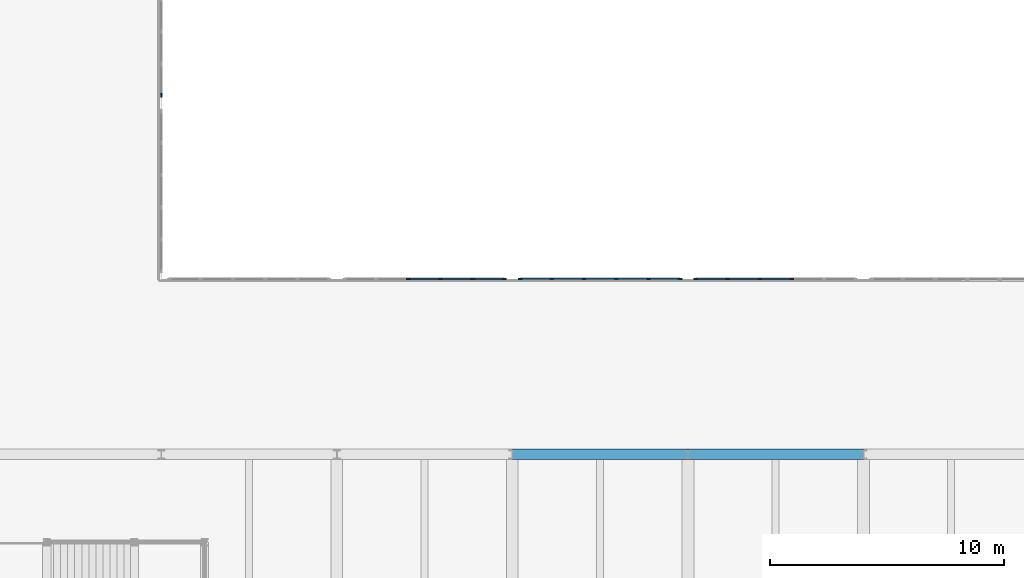
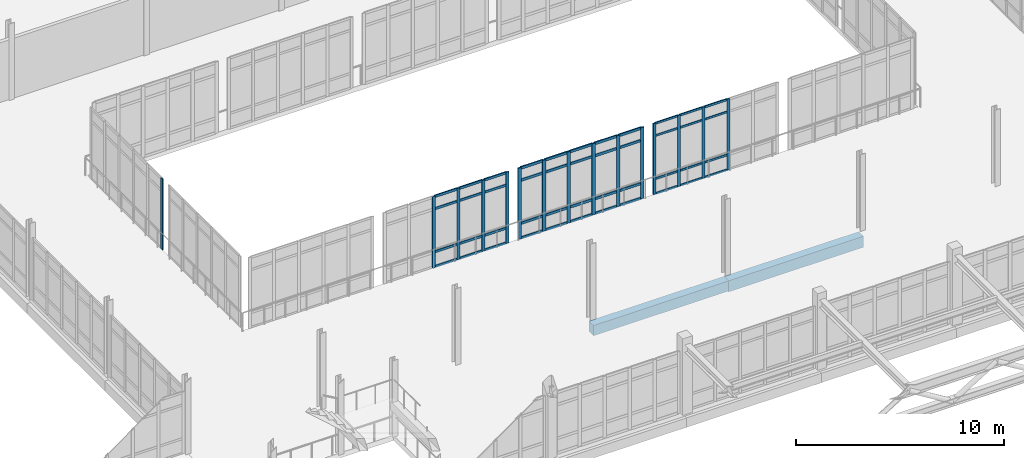
# One storey, part 34 of 128: 59 members, 2 beams, 4 elements without a shape of their own.
"""IFC4 building model written with IfcOpenShell, lengths in metres."""

from ifc_helpers import new_model, si_unit, direction, frame, origin, origin_2d, place, context, subcontext, project, spatial, rectangle, extrude, material, layer, layer_set, material_profile, profile_set, type_object, element, aggregate, save


model = new_model("IFC4")

# Units and contexts
model_context = context("Model", 3, precision=1e-05, world=origin(), true_north=direction((0.0, 1.0)))
body_context = subcontext(model_context, "Body", "Model", "MODEL_VIEW")
ifc_project = project(units=[si_unit("LENGTHUNIT", "METRE"), si_unit("AREAUNIT", "SQUARE_METRE"), si_unit("VOLUMEUNIT", "CUBIC_METRE"), si_unit("PLANEANGLEUNIT", "RADIAN"), si_unit("MASSUNIT", "GRAM", prefix="KILO")], contexts=[model_context])

# Site, building, storey
site_placement = place(None, origin())
site = spatial("IfcSite", under=ifc_project, at=site_placement, CompositionType="ELEMENT")
building_placement = place(site_placement, origin())
building = spatial("IfcBuilding", under=site, at=building_placement, Name="Dalvernix Boulevard General Hospital", CompositionType="ELEMENT")
storey_placement = place(building_placement, frame((0.0, 0.0, 4.800048828125)))
storey = spatial("IfcBuildingStorey", under=building, at=storey_placement, Name="L01", CompositionType="ELEMENT", Elevation=4.800048828125)

# Beams
ifc_material_1 = material(Name="Concrete C35/45", Category="concrete")
ifc_material_profile_1 = material_profile(ifc_material_1, rectangle(XDim=0.449951171875, YDim=0.64990234375, at=origin_2d()), Name="RCB 450x650")
ifc_profile_set_1 = profile_set([ifc_material_profile_1], Name="Concrete C35/45")
beam_type_1 = type_object("IfcBeamType", Name="BM-B-03-I", PredefinedType="BEAM", material=ifc_profile_set_1)
beam_1_placement = place(storey_placement, frame((90.0, 31.5, -0.625), z_axis=(1.0, 0.0, 0.0), x_axis=(0.0, 1.0, 0.0)))
element("IfcBeam", 1, at=beam_1_placement, inside=storey, type_object=beam_type_1, Name="L01 E-W girder E:13-14", PredefinedType="BEAM", context=body_context, shape_type="SweptSolid", body=[
    extrude(rectangle(XDim=0.449951171875, YDim=0.64990234375, at=origin_2d()), origin(), (0.0, 0.0, 1.0), 7.5),
])
ifc_material_profile_2 = material_profile(ifc_material_1, rectangle(XDim=0.449951171875, YDim=0.60009765625, at=origin_2d()), Name="RCB 450x600")
ifc_profile_set_2 = profile_set([ifc_material_profile_2], Name="Concrete C35/45")
beam_type_2 = type_object("IfcBeamType", Name="BM-B-04-I", PredefinedType="BEAM", material=ifc_profile_set_2)
beam_2_placement = place(storey_placement, frame((82.5, 31.5, -0.60009765625), z_axis=(1.0, 0.0, 0.0), x_axis=(0.0, 1.0, 0.0)))
element("IfcBeam", 2, at=beam_2_placement, inside=storey, type_object=beam_type_2, Name="L01 E-W girder E:12-13", PredefinedType="BEAM", context=body_context, shape_type="SweptSolid", body=[
    extrude(rectangle(XDim=0.449951171875, YDim=0.60009765625, at=origin_2d()), origin(), (0.0, 0.0, 1.0), 7.5),
])

# Curtain wall, members
ifc_material_2 = material(Name="Thermally broken aluminium and solar-control glass curtain wall", Category="aluminium")
ifc_layer_1 = layer(ifc_material_2, 0.159912109375)
ifc_layer_set_1 = layer_set([ifc_layer_1], Name="Thermally broken aluminium and solar-control glass curtain wall (CW-CW-A-69x42)")
curtain_wall_type_1 = type_object("IfcCurtainWallType", Name="CW-CW-A-69x42", PredefinedType="USERDEFINED", material=ifc_layer_set_1)
curtain_wall_1_placement = place(storey_placement, origin())
curtain_wall_1 = element("IfcCurtainWall", 3, at=curtain_wall_1_placement, inside=storey, type_object=curtain_wall_type_1, Name="L01 curtain wall CW-A-69x42 12-5", ObjectType="GLAZED FACADE", PredefinedType="USERDEFINED")
ifc_material_3 = material(Name="Aluminium EN AW-6060", Category="aluminium")
ifc_material_profile_3 = material_profile(ifc_material_3, rectangle(XDim=0.06005859375, YDim=0.159912109375, at=origin_2d()), Name="ALU MULL 60x160")
ifc_profile_set_3 = profile_set([ifc_material_profile_3], Name="Aluminium EN AW-6060")
member_type_1 = type_object("IfcMemberType", Name="MEM-CW-M1", PredefinedType="MULLION", material=ifc_profile_set_3)
member_1_placement = place(storey_placement, frame((90.340087890625, 39.0, 0.0), z_axis=(0.0, 0.0, 1.0), x_axis=(0.0, 1.0, 0.0)))
member_1 = element("IfcMember", 4, at=member_1_placement, type_object=member_type_1, Name="CW-A-69x42 mullion 1", PredefinedType="MULLION", context=body_context, shape_type="SweptSolid", body=[
    extrude(rectangle(XDim=0.06005859375, YDim=0.159912109375, at=origin_2d()), origin(), (0.0, 0.0, 1.0), 4.179931640625),
])
member_2_placement = place(storey_placement, frame((91.68603515625, 39.0, 0.0), z_axis=(0.0, 0.0, 1.0), x_axis=(0.0, 1.0, 0.0)))
member_2 = element("IfcMember", 5, at=member_2_placement, type_object=member_type_1, Name="CW-A-69x42 mullion 2", PredefinedType="MULLION", context=body_context, shape_type="SweptSolid", body=[
    extrude(rectangle(XDim=0.06005859375, YDim=0.159912109375, at=origin_2d()), origin(), (0.0, 0.0, 1.0), 4.179931640625),
])
member_3_placement = place(storey_placement, frame((93.06201171875, 39.0, 0.0), z_axis=(0.0, 0.0, 1.0), x_axis=(0.0, 1.0, 0.0)))
member_3 = element("IfcMember", 6, at=member_3_placement, type_object=member_type_1, Name="CW-A-69x42 mullion 3", PredefinedType="MULLION", context=body_context, shape_type="SweptSolid", body=[
    extrude(rectangle(XDim=0.06005859375, YDim=0.159912109375, at=origin_2d()), origin(), (0.0, 0.0, 1.0), 4.179931640625),
])
member_4_placement = place(storey_placement, frame((94.43798828125, 39.0, 0.0), z_axis=(0.0, 0.0, 1.0), x_axis=(0.0, 1.0, 0.0)))
member_4 = element("IfcMember", 7, at=member_4_placement, type_object=member_type_1, Name="CW-A-69x42 mullion 4", PredefinedType="MULLION", context=body_context, shape_type="SweptSolid", body=[
    extrude(rectangle(XDim=0.06005859375, YDim=0.159912109375, at=origin_2d()), origin(), (0.0, 0.0, 1.0), 4.179931640625),
])

# Curtain wall, member
ifc_layer_2 = layer(ifc_material_2, 0.179931640625)
ifc_layer_set_2 = layer_set([ifc_layer_2], Name="Thermally broken aluminium and solar-control glass curtain wall (CW-CW-B-69x42)")
curtain_wall_type_2 = type_object("IfcCurtainWallType", Name="CW-CW-B-69x42", PredefinedType="USERDEFINED", material=ifc_layer_set_2)
curtain_wall_2_placement = place(storey_placement, origin())
curtain_wall_2 = element("IfcCurtainWall", 8, at=curtain_wall_2_placement, inside=storey, type_object=curtain_wall_type_2, Name="L01 curtain wall CW-B-69x42 9-6", ObjectType="GLAZED FACADE", PredefinedType="USERDEFINED")
ifc_material_profile_4 = material_profile(ifc_material_3, rectangle(XDim=0.06494140625, YDim=0.179931640625, at=origin_2d()), Name="ALU MULL 65x180")
ifc_profile_set_4 = profile_set([ifc_material_profile_4], Name="Aluminium EN AW-6060")
member_type_2 = type_object("IfcMemberType", Name="MEM-CW-M2", PredefinedType="MULLION", material=ifc_profile_set_4)
member_5_placement = place(storey_placement, frame((67.5, 46.842529296875, 0.0), z_axis=(0.0, 0.0, 1.0), x_axis=(1.0, 0.0, 0.0)))
member_5 = element("IfcMember", 9, at=member_5_placement, type_object=member_type_2, Name="CW-B-69x42 mullion 6", PredefinedType="MULLION", context=body_context, shape_type="SweptSolid", body=[
    extrude(rectangle(XDim=0.06494140625, YDim=0.179931640625, at=origin_2d()), origin(), (0.0, 0.0, 1.0), 4.179931640625),
])
aggregate(curtain_wall_2, [member_5])

# Curtain wall, members
curtain_wall_3_placement = place(storey_placement, origin())
curtain_wall_3 = element("IfcCurtainWall", 10, at=curtain_wall_3_placement, inside=storey, type_object=curtain_wall_type_2, Name="L01 curtain wall CW-B-69x42 10-5", ObjectType="GLAZED FACADE", PredefinedType="USERDEFINED")
member_6_placement = place(storey_placement, frame((78.06201171875, 39.0, 0.0), z_axis=(0.0, 0.0, 1.0), x_axis=(0.0, 1.0, 0.0)))
member_6 = element("IfcMember", 11, at=member_6_placement, type_object=member_type_2, Name="CW-B-69x42 mullion 3", PredefinedType="MULLION", context=body_context, shape_type="SweptSolid", body=[
    extrude(rectangle(XDim=0.06494140625, YDim=0.179931640625, at=origin_2d()), origin(), (0.0, 0.0, 1.0), 4.179931640625),
])
member_7_placement = place(storey_placement, frame((79.43798828125, 39.0, 0.0), z_axis=(0.0, 0.0, 1.0), x_axis=(0.0, 1.0, 0.0)))
member_7 = element("IfcMember", 12, at=member_7_placement, type_object=member_type_2, Name="CW-B-69x42 mullion 4", PredefinedType="MULLION", context=body_context, shape_type="SweptSolid", body=[
    extrude(rectangle(XDim=0.06494140625, YDim=0.179931640625, at=origin_2d()), origin(), (0.0, 0.0, 1.0), 4.179931640625),
])
member_8_placement = place(storey_placement, frame((80.81396484375, 39.0, 0.0), z_axis=(0.0, 0.0, 1.0), x_axis=(0.0, 1.0, 0.0)))
member_8 = element("IfcMember", 13, at=member_8_placement, type_object=member_type_2, Name="CW-B-69x42 mullion 5", PredefinedType="MULLION", context=body_context, shape_type="SweptSolid", body=[
    extrude(rectangle(XDim=0.06494140625, YDim=0.179931640625, at=origin_2d()), origin(), (0.0, 0.0, 1.0), 4.179931640625),
])
member_9_placement = place(storey_placement, frame((82.157470703125, 39.0, 0.0), z_axis=(0.0, 0.0, 1.0), x_axis=(0.0, 1.0, 0.0)))
member_9 = element("IfcMember", 14, at=member_9_placement, type_object=member_type_2, Name="CW-B-69x42 mullion 6", PredefinedType="MULLION", context=body_context, shape_type="SweptSolid", body=[
    extrude(rectangle(XDim=0.06494140625, YDim=0.179931640625, at=origin_2d()), origin(), (0.0, 0.0, 1.0), 4.179931640625),
])

ifc_layer_3 = layer(ifc_material_2, 0.199951171875)
ifc_layer_set_3 = layer_set([ifc_layer_3], Name="Thermally broken aluminium and solar-control glass curtain wall (CW-CW-C-69x42)")
curtain_wall_type_3 = type_object("IfcCurtainWallType", Name="CW-CW-C-69x42", PredefinedType="USERDEFINED", material=ifc_layer_set_3)
curtain_wall_4_placement = place(storey_placement, origin())
curtain_wall_4 = element("IfcCurtainWall", 15, at=curtain_wall_4_placement, inside=storey, type_object=curtain_wall_type_3, Name="L01 curtain wall CW-C-69x42 11-5", ObjectType="GLAZED FACADE", PredefinedType="USERDEFINED")
ifc_material_profile_5 = material_profile(ifc_material_3, rectangle(XDim=0.070068359375, YDim=0.199951171875, at=origin_2d()), Name="ALU MULL 70x200")
ifc_profile_set_5 = profile_set([ifc_material_profile_5], Name="Aluminium EN AW-6060")
member_type_3 = type_object("IfcMemberType", Name="MEM-CW-M3", PredefinedType="MULLION", material=ifc_profile_set_5)
member_10_placement = place(storey_placement, frame((82.844970703125, 39.0, 0.0), z_axis=(0.0, 0.0, 1.0), x_axis=(0.0, 1.0, 0.0)))
member_10 = element("IfcMember", 16, at=member_10_placement, type_object=member_type_3, Name="CW-C-69x42 mullion 1", PredefinedType="MULLION", context=body_context, shape_type="SweptSolid", body=[
    extrude(rectangle(XDim=0.070068359375, YDim=0.199951171875, at=origin_2d()), origin(), (0.0, 0.0, 1.0), 4.179931640625),
])
member_11_placement = place(storey_placement, frame((84.18603515625, 39.0, 0.0), z_axis=(0.0, 0.0, 1.0), x_axis=(0.0, 1.0, 0.0)))
member_11 = element("IfcMember", 17, at=member_11_placement, type_object=member_type_3, Name="CW-C-69x42 mullion 2", PredefinedType="MULLION", context=body_context, shape_type="SweptSolid", body=[
    extrude(rectangle(XDim=0.070068359375, YDim=0.199951171875, at=origin_2d()), origin(), (0.0, 0.0, 1.0), 4.179931640625),
])
member_12_placement = place(storey_placement, frame((85.56201171875, 39.0, 0.0), z_axis=(0.0, 0.0, 1.0), x_axis=(0.0, 1.0, 0.0)))
member_12 = element("IfcMember", 18, at=member_12_placement, type_object=member_type_3, Name="CW-C-69x42 mullion 3", PredefinedType="MULLION", context=body_context, shape_type="SweptSolid", body=[
    extrude(rectangle(XDim=0.070068359375, YDim=0.199951171875, at=origin_2d()), origin(), (0.0, 0.0, 1.0), 4.179931640625),
])
member_13_placement = place(storey_placement, frame((86.93798828125, 39.0, 0.0), z_axis=(0.0, 0.0, 1.0), x_axis=(0.0, 1.0, 0.0)))
member_13 = element("IfcMember", 19, at=member_13_placement, type_object=member_type_3, Name="CW-C-69x42 mullion 4", PredefinedType="MULLION", context=body_context, shape_type="SweptSolid", body=[
    extrude(rectangle(XDim=0.070068359375, YDim=0.199951171875, at=origin_2d()), origin(), (0.0, 0.0, 1.0), 4.179931640625),
])
member_14_placement = place(storey_placement, frame((88.31396484375, 39.0, 0.0), z_axis=(0.0, 0.0, 1.0), x_axis=(0.0, 1.0, 0.0)))
member_14 = element("IfcMember", 20, at=member_14_placement, type_object=member_type_3, Name="CW-C-69x42 mullion 5", PredefinedType="MULLION", context=body_context, shape_type="SweptSolid", body=[
    extrude(rectangle(XDim=0.070068359375, YDim=0.199951171875, at=origin_2d()), origin(), (0.0, 0.0, 1.0), 4.179931640625),
])
member_15_placement = place(storey_placement, frame((89.655029296875, 39.0, 0.0), z_axis=(0.0, 0.0, 1.0), x_axis=(0.0, 1.0, 0.0)))
member_15 = element("IfcMember", 21, at=member_15_placement, type_object=member_type_3, Name="CW-C-69x42 mullion 6", PredefinedType="MULLION", context=body_context, shape_type="SweptSolid", body=[
    extrude(rectangle(XDim=0.070068359375, YDim=0.199951171875, at=origin_2d()), origin(), (0.0, 0.0, 1.0), 4.179931640625),
])

# Member
ifc_material_profile_6 = material_profile(ifc_material_3, rectangle(XDim=0.06005859375, YDim=0.1201171875, at=origin_2d()), Name="ALU TRAN 60x120")
ifc_profile_set_6 = profile_set([ifc_material_profile_6], Name="Aluminium EN AW-6060")
member_type_4 = type_object("IfcMemberType", Name="MEM-CW-T1", PredefinedType="USERDEFINED", material=ifc_profile_set_6)
member_16_placement = place(storey_placement, frame((90.3701171875, 39.0, 0.030029296875), z_axis=(1.0, 0.0, 0.0), x_axis=(0.0, 1.0, 0.0)))
member_16 = element("IfcMember", 22, at=member_16_placement, type_object=member_type_4, Name="CW-A-69x42 transom 1.1", ObjectType="TRANSOM", PredefinedType="USERDEFINED", context=body_context, shape_type="SweptSolid", body=[
    extrude(rectangle(XDim=0.06005859375, YDim=0.1201171875, at=origin_2d()), origin(), (0.0, 0.0, 1.0), 1.285888671875),
])

member_17_placement = place(storey_placement, frame((90.3701171875, 39.0, 0.89990234375), z_axis=(1.0, 0.0, 0.0), x_axis=(0.0, 1.0, 0.0)))
member_17 = element("IfcMember", 23, at=member_17_placement, type_object=member_type_4, Name="CW-A-69x42 transom 1.2", ObjectType="TRANSOM", PredefinedType="USERDEFINED", context=body_context, shape_type="SweptSolid", body=[
    extrude(rectangle(XDim=0.06005859375, YDim=0.1201171875, at=origin_2d()), origin(), (0.0, 0.0, 1.0), 1.285888671875),
])

member_18_placement = place(storey_placement, frame((90.3701171875, 39.0, 3.429931640625), z_axis=(1.0, 0.0, 0.0), x_axis=(0.0, 1.0, 0.0)))
member_18 = element("IfcMember", 24, at=member_18_placement, type_object=member_type_4, Name="CW-A-69x42 transom 1.3", ObjectType="TRANSOM", PredefinedType="USERDEFINED", context=body_context, shape_type="SweptSolid", body=[
    extrude(rectangle(XDim=0.06005859375, YDim=0.1201171875, at=origin_2d()), origin(), (0.0, 0.0, 1.0), 1.285888671875),
])

member_19_placement = place(storey_placement, frame((90.3701171875, 39.0, 4.14990234375), z_axis=(1.0, 0.0, 0.0), x_axis=(0.0, 1.0, 0.0)))
member_19 = element("IfcMember", 25, at=member_19_placement, type_object=member_type_4, Name="CW-A-69x42 transom 1.4", ObjectType="TRANSOM", PredefinedType="USERDEFINED", context=body_context, shape_type="SweptSolid", body=[
    extrude(rectangle(XDim=0.06005859375, YDim=0.1201171875, at=origin_2d()), origin(), (0.0, 0.0, 1.0), 1.285888671875),
])

member_20_placement = place(storey_placement, frame((91.716064453125, 39.0, 0.030029296875), z_axis=(1.0, 0.0, 0.0), x_axis=(0.0, 1.0, 0.0)))
member_20 = element("IfcMember", 26, at=member_20_placement, type_object=member_type_4, Name="CW-A-69x42 transom 2.1", ObjectType="TRANSOM", PredefinedType="USERDEFINED", context=body_context, shape_type="SweptSolid", body=[
    extrude(rectangle(XDim=0.06005859375, YDim=0.1201171875, at=origin_2d()), origin(), (0.0, 0.0, 1.0), 1.31591796875),
])

member_21_placement = place(storey_placement, frame((91.716064453125, 39.0, 0.89990234375), z_axis=(1.0, 0.0, 0.0), x_axis=(0.0, 1.0, 0.0)))
member_21 = element("IfcMember", 27, at=member_21_placement, type_object=member_type_4, Name="CW-A-69x42 transom 2.2", ObjectType="TRANSOM", PredefinedType="USERDEFINED", context=body_context, shape_type="SweptSolid", body=[
    extrude(rectangle(XDim=0.06005859375, YDim=0.1201171875, at=origin_2d()), origin(), (0.0, 0.0, 1.0), 1.31591796875),
])

member_22_placement = place(storey_placement, frame((91.716064453125, 39.0, 3.429931640625), z_axis=(1.0, 0.0, 0.0), x_axis=(0.0, 1.0, 0.0)))
member_22 = element("IfcMember", 28, at=member_22_placement, type_object=member_type_4, Name="CW-A-69x42 transom 2.3", ObjectType="TRANSOM", PredefinedType="USERDEFINED", context=body_context, shape_type="SweptSolid", body=[
    extrude(rectangle(XDim=0.06005859375, YDim=0.1201171875, at=origin_2d()), origin(), (0.0, 0.0, 1.0), 1.31591796875),
])

member_23_placement = place(storey_placement, frame((91.716064453125, 39.0, 4.14990234375), z_axis=(1.0, 0.0, 0.0), x_axis=(0.0, 1.0, 0.0)))
member_23 = element("IfcMember", 29, at=member_23_placement, type_object=member_type_4, Name="CW-A-69x42 transom 2.4", ObjectType="TRANSOM", PredefinedType="USERDEFINED", context=body_context, shape_type="SweptSolid", body=[
    extrude(rectangle(XDim=0.06005859375, YDim=0.1201171875, at=origin_2d()), origin(), (0.0, 0.0, 1.0), 1.31591796875),
])

member_24_placement = place(storey_placement, frame((93.092041015625, 39.0, 0.030029296875), z_axis=(1.0, 0.0, 0.0), x_axis=(0.0, 1.0, 0.0)))
member_24 = element("IfcMember", 30, at=member_24_placement, type_object=member_type_4, Name="CW-A-69x42 transom 3.1", ObjectType="TRANSOM", PredefinedType="USERDEFINED", context=body_context, shape_type="SweptSolid", body=[
    extrude(rectangle(XDim=0.06005859375, YDim=0.1201171875, at=origin_2d()), origin(), (0.0, 0.0, 1.0), 1.31591796875),
])

member_25_placement = place(storey_placement, frame((93.092041015625, 39.0, 0.89990234375), z_axis=(1.0, 0.0, 0.0), x_axis=(0.0, 1.0, 0.0)))
member_25 = element("IfcMember", 31, at=member_25_placement, type_object=member_type_4, Name="CW-A-69x42 transom 3.2", ObjectType="TRANSOM", PredefinedType="USERDEFINED", context=body_context, shape_type="SweptSolid", body=[
    extrude(rectangle(XDim=0.06005859375, YDim=0.1201171875, at=origin_2d()), origin(), (0.0, 0.0, 1.0), 1.31591796875),
])

member_26_placement = place(storey_placement, frame((93.092041015625, 39.0, 3.429931640625), z_axis=(1.0, 0.0, 0.0), x_axis=(0.0, 1.0, 0.0)))
member_26 = element("IfcMember", 32, at=member_26_placement, type_object=member_type_4, Name="CW-A-69x42 transom 3.3", ObjectType="TRANSOM", PredefinedType="USERDEFINED", context=body_context, shape_type="SweptSolid", body=[
    extrude(rectangle(XDim=0.06005859375, YDim=0.1201171875, at=origin_2d()), origin(), (0.0, 0.0, 1.0), 1.31591796875),
])

member_27_placement = place(storey_placement, frame((93.092041015625, 39.0, 4.14990234375), z_axis=(1.0, 0.0, 0.0), x_axis=(0.0, 1.0, 0.0)))
member_27 = element("IfcMember", 33, at=member_27_placement, type_object=member_type_4, Name="CW-A-69x42 transom 3.4", ObjectType="TRANSOM", PredefinedType="USERDEFINED", context=body_context, shape_type="SweptSolid", body=[
    extrude(rectangle(XDim=0.06005859375, YDim=0.1201171875, at=origin_2d()), origin(), (0.0, 0.0, 1.0), 1.31591796875),
])

aggregate(curtain_wall_1, [member_1, member_2, member_3, member_4, member_16, member_17, member_18, member_19, member_20, member_21, member_22, member_23, member_24, member_25, member_26, member_27])

ifc_material_profile_7 = material_profile(ifc_material_3, rectangle(XDim=0.06494140625, YDim=0.139892578125, at=origin_2d()), Name="ALU TRAN 65x140")
ifc_profile_set_7 = profile_set([ifc_material_profile_7], Name="Aluminium EN AW-6060")
member_type_5 = type_object("IfcMemberType", Name="MEM-CW-T2", PredefinedType="USERDEFINED", material=ifc_profile_set_7)
member_28_placement = place(storey_placement, frame((78.094482421875, 39.0, 0.032470703125), z_axis=(1.0, 0.0, 0.0), x_axis=(0.0, 1.0, 0.0)))
member_28 = element("IfcMember", 34, at=member_28_placement, type_object=member_type_5, Name="CW-B-69x42 transom 3.1", ObjectType="TRANSOM", PredefinedType="USERDEFINED", context=body_context, shape_type="SweptSolid", body=[
    extrude(rectangle(XDim=0.06494140625, YDim=0.139892578125, at=origin_2d()), origin(), (0.0, 0.0, 1.0), 1.31103515625),
])

member_29_placement = place(storey_placement, frame((78.094482421875, 39.0, 0.89990234375), z_axis=(1.0, 0.0, 0.0), x_axis=(0.0, 1.0, 0.0)))
member_29 = element("IfcMember", 35, at=member_29_placement, type_object=member_type_5, Name="CW-B-69x42 transom 3.2", ObjectType="TRANSOM", PredefinedType="USERDEFINED", context=body_context, shape_type="SweptSolid", body=[
    extrude(rectangle(XDim=0.06494140625, YDim=0.139892578125, at=origin_2d()), origin(), (0.0, 0.0, 1.0), 1.31103515625),
])

member_30_placement = place(storey_placement, frame((78.094482421875, 39.0, 3.429931640625), z_axis=(1.0, 0.0, 0.0), x_axis=(0.0, 1.0, 0.0)))
member_30 = element("IfcMember", 36, at=member_30_placement, type_object=member_type_5, Name="CW-B-69x42 transom 3.3", ObjectType="TRANSOM", PredefinedType="USERDEFINED", context=body_context, shape_type="SweptSolid", body=[
    extrude(rectangle(XDim=0.06494140625, YDim=0.139892578125, at=origin_2d()), origin(), (0.0, 0.0, 1.0), 1.31103515625),
])

member_31_placement = place(storey_placement, frame((78.094482421875, 39.0, 4.1474609375), z_axis=(1.0, 0.0, 0.0), x_axis=(0.0, 1.0, 0.0)))
member_31 = element("IfcMember", 37, at=member_31_placement, type_object=member_type_5, Name="CW-B-69x42 transom 3.4", ObjectType="TRANSOM", PredefinedType="USERDEFINED", context=body_context, shape_type="SweptSolid", body=[
    extrude(rectangle(XDim=0.06494140625, YDim=0.139892578125, at=origin_2d()), origin(), (0.0, 0.0, 1.0), 1.31103515625),
])

member_32_placement = place(storey_placement, frame((79.470458984375, 39.0, 0.032470703125), z_axis=(1.0, 0.0, 0.0), x_axis=(0.0, 1.0, 0.0)))
member_32 = element("IfcMember", 38, at=member_32_placement, type_object=member_type_5, Name="CW-B-69x42 transom 4.1", ObjectType="TRANSOM", PredefinedType="USERDEFINED", context=body_context, shape_type="SweptSolid", body=[
    extrude(rectangle(XDim=0.06494140625, YDim=0.139892578125, at=origin_2d()), origin(), (0.0, 0.0, 1.0), 1.31103515625),
])

member_33_placement = place(storey_placement, frame((79.470458984375, 39.0, 0.89990234375), z_axis=(1.0, 0.0, 0.0), x_axis=(0.0, 1.0, 0.0)))
member_33 = element("IfcMember", 39, at=member_33_placement, type_object=member_type_5, Name="CW-B-69x42 transom 4.2", ObjectType="TRANSOM", PredefinedType="USERDEFINED", context=body_context, shape_type="SweptSolid", body=[
    extrude(rectangle(XDim=0.06494140625, YDim=0.139892578125, at=origin_2d()), origin(), (0.0, 0.0, 1.0), 1.31103515625),
])

member_34_placement = place(storey_placement, frame((79.470458984375, 39.0, 3.429931640625), z_axis=(1.0, 0.0, 0.0), x_axis=(0.0, 1.0, 0.0)))
member_34 = element("IfcMember", 40, at=member_34_placement, type_object=member_type_5, Name="CW-B-69x42 transom 4.3", ObjectType="TRANSOM", PredefinedType="USERDEFINED", context=body_context, shape_type="SweptSolid", body=[
    extrude(rectangle(XDim=0.06494140625, YDim=0.139892578125, at=origin_2d()), origin(), (0.0, 0.0, 1.0), 1.31103515625),
])

member_35_placement = place(storey_placement, frame((79.470458984375, 39.0, 4.1474609375), z_axis=(1.0, 0.0, 0.0), x_axis=(0.0, 1.0, 0.0)))
member_35 = element("IfcMember", 41, at=member_35_placement, type_object=member_type_5, Name="CW-B-69x42 transom 4.4", ObjectType="TRANSOM", PredefinedType="USERDEFINED", context=body_context, shape_type="SweptSolid", body=[
    extrude(rectangle(XDim=0.06494140625, YDim=0.139892578125, at=origin_2d()), origin(), (0.0, 0.0, 1.0), 1.31103515625),
])

member_36_placement = place(storey_placement, frame((80.846435546875, 39.0, 0.032470703125), z_axis=(1.0, 0.0, 0.0), x_axis=(0.0, 1.0, 0.0)))
member_36 = element("IfcMember", 42, at=member_36_placement, type_object=member_type_5, Name="CW-B-69x42 transom 5.1", ObjectType="TRANSOM", PredefinedType="USERDEFINED", context=body_context, shape_type="SweptSolid", body=[
    extrude(rectangle(XDim=0.06494140625, YDim=0.139892578125, at=origin_2d()), origin(), (0.0, 0.0, 1.0), 1.278564453125),
])

member_37_placement = place(storey_placement, frame((80.846435546875, 39.0, 0.89990234375), z_axis=(1.0, 0.0, 0.0), x_axis=(0.0, 1.0, 0.0)))
member_37 = element("IfcMember", 43, at=member_37_placement, type_object=member_type_5, Name="CW-B-69x42 transom 5.2", ObjectType="TRANSOM", PredefinedType="USERDEFINED", context=body_context, shape_type="SweptSolid", body=[
    extrude(rectangle(XDim=0.06494140625, YDim=0.139892578125, at=origin_2d()), origin(), (0.0, 0.0, 1.0), 1.278564453125),
])

member_38_placement = place(storey_placement, frame((80.846435546875, 39.0, 3.429931640625), z_axis=(1.0, 0.0, 0.0), x_axis=(0.0, 1.0, 0.0)))
member_38 = element("IfcMember", 44, at=member_38_placement, type_object=member_type_5, Name="CW-B-69x42 transom 5.3", ObjectType="TRANSOM", PredefinedType="USERDEFINED", context=body_context, shape_type="SweptSolid", body=[
    extrude(rectangle(XDim=0.06494140625, YDim=0.139892578125, at=origin_2d()), origin(), (0.0, 0.0, 1.0), 1.278564453125),
])

member_39_placement = place(storey_placement, frame((80.846435546875, 39.0, 4.1474609375), z_axis=(1.0, 0.0, 0.0), x_axis=(0.0, 1.0, 0.0)))
member_39 = element("IfcMember", 45, at=member_39_placement, type_object=member_type_5, Name="CW-B-69x42 transom 5.4", ObjectType="TRANSOM", PredefinedType="USERDEFINED", context=body_context, shape_type="SweptSolid", body=[
    extrude(rectangle(XDim=0.06494140625, YDim=0.139892578125, at=origin_2d()), origin(), (0.0, 0.0, 1.0), 1.278564453125),
])

aggregate(curtain_wall_3, [member_6, member_7, member_8, member_9, member_28, member_29, member_30, member_31, member_32, member_33, member_34, member_35, member_36, member_37, member_38, member_39])

ifc_material_profile_8 = material_profile(ifc_material_3, rectangle(XDim=0.070068359375, YDim=0.14990234375, at=origin_2d()), Name="ALU TRAN 70x150")
ifc_profile_set_8 = profile_set([ifc_material_profile_8], Name="Aluminium EN AW-6060")
member_type_6 = type_object("IfcMemberType", Name="MEM-CW-T3", PredefinedType="USERDEFINED", material=ifc_profile_set_8)
member_40_placement = place(storey_placement, frame((82.8798828125, 39.0, 0.034912109375), z_axis=(1.0, 0.0, 0.0), x_axis=(0.0, 1.0, 0.0)))
member_40 = element("IfcMember", 46, at=member_40_placement, type_object=member_type_6, Name="CW-C-69x42 transom 1.1", ObjectType="TRANSOM", PredefinedType="USERDEFINED", context=body_context, shape_type="SweptSolid", body=[
    extrude(rectangle(XDim=0.070068359375, YDim=0.14990234375, at=origin_2d()), origin(), (0.0, 0.0, 1.0), 1.27099609375),
])

member_41_placement = place(storey_placement, frame((82.8798828125, 39.0, 0.89990234375), z_axis=(1.0, 0.0, 0.0), x_axis=(0.0, 1.0, 0.0)))
member_41 = element("IfcMember", 47, at=member_41_placement, type_object=member_type_6, Name="CW-C-69x42 transom 1.2", ObjectType="TRANSOM", PredefinedType="USERDEFINED", context=body_context, shape_type="SweptSolid", body=[
    extrude(rectangle(XDim=0.070068359375, YDim=0.14990234375, at=origin_2d()), origin(), (0.0, 0.0, 1.0), 1.27099609375),
])

member_42_placement = place(storey_placement, frame((82.8798828125, 39.0, 3.429931640625), z_axis=(1.0, 0.0, 0.0), x_axis=(0.0, 1.0, 0.0)))
member_42 = element("IfcMember", 48, at=member_42_placement, type_object=member_type_6, Name="CW-C-69x42 transom 1.3", ObjectType="TRANSOM", PredefinedType="USERDEFINED", context=body_context, shape_type="SweptSolid", body=[
    extrude(rectangle(XDim=0.070068359375, YDim=0.14990234375, at=origin_2d()), origin(), (0.0, 0.0, 1.0), 1.27099609375),
])

member_43_placement = place(storey_placement, frame((82.8798828125, 39.0, 4.14501953125), z_axis=(1.0, 0.0, 0.0), x_axis=(0.0, 1.0, 0.0)))
member_43 = element("IfcMember", 49, at=member_43_placement, type_object=member_type_6, Name="CW-C-69x42 transom 1.4", ObjectType="TRANSOM", PredefinedType="USERDEFINED", context=body_context, shape_type="SweptSolid", body=[
    extrude(rectangle(XDim=0.070068359375, YDim=0.14990234375, at=origin_2d()), origin(), (0.0, 0.0, 1.0), 1.27099609375),
])

member_44_placement = place(storey_placement, frame((84.220947265625, 39.0, 0.034912109375), z_axis=(1.0, 0.0, 0.0), x_axis=(0.0, 1.0, 0.0)))
member_44 = element("IfcMember", 50, at=member_44_placement, type_object=member_type_6, Name="CW-C-69x42 transom 2.1", ObjectType="TRANSOM", PredefinedType="USERDEFINED", context=body_context, shape_type="SweptSolid", body=[
    extrude(rectangle(XDim=0.070068359375, YDim=0.14990234375, at=origin_2d()), origin(), (0.0, 0.0, 1.0), 1.30615234375),
])

member_45_placement = place(storey_placement, frame((84.220947265625, 39.0, 0.89990234375), z_axis=(1.0, 0.0, 0.0), x_axis=(0.0, 1.0, 0.0)))
member_45 = element("IfcMember", 51, at=member_45_placement, type_object=member_type_6, Name="CW-C-69x42 transom 2.2", ObjectType="TRANSOM", PredefinedType="USERDEFINED", context=body_context, shape_type="SweptSolid", body=[
    extrude(rectangle(XDim=0.070068359375, YDim=0.14990234375, at=origin_2d()), origin(), (0.0, 0.0, 1.0), 1.30615234375),
])

member_46_placement = place(storey_placement, frame((84.220947265625, 39.0, 3.429931640625), z_axis=(1.0, 0.0, 0.0), x_axis=(0.0, 1.0, 0.0)))
member_46 = element("IfcMember", 52, at=member_46_placement, type_object=member_type_6, Name="CW-C-69x42 transom 2.3", ObjectType="TRANSOM", PredefinedType="USERDEFINED", context=body_context, shape_type="SweptSolid", body=[
    extrude(rectangle(XDim=0.070068359375, YDim=0.14990234375, at=origin_2d()), origin(), (0.0, 0.0, 1.0), 1.30615234375),
])

member_47_placement = place(storey_placement, frame((84.220947265625, 39.0, 4.14501953125), z_axis=(1.0, 0.0, 0.0), x_axis=(0.0, 1.0, 0.0)))
member_47 = element("IfcMember", 53, at=member_47_placement, type_object=member_type_6, Name="CW-C-69x42 transom 2.4", ObjectType="TRANSOM", PredefinedType="USERDEFINED", context=body_context, shape_type="SweptSolid", body=[
    extrude(rectangle(XDim=0.070068359375, YDim=0.14990234375, at=origin_2d()), origin(), (0.0, 0.0, 1.0), 1.30615234375),
])

member_48_placement = place(storey_placement, frame((85.596923828125, 39.0, 0.034912109375), z_axis=(1.0, 0.0, 0.0), x_axis=(0.0, 1.0, 0.0)))
member_48 = element("IfcMember", 54, at=member_48_placement, type_object=member_type_6, Name="CW-C-69x42 transom 3.1", ObjectType="TRANSOM", PredefinedType="USERDEFINED", context=body_context, shape_type="SweptSolid", body=[
    extrude(rectangle(XDim=0.070068359375, YDim=0.14990234375, at=origin_2d()), origin(), (0.0, 0.0, 1.0), 1.30615234375),
])

member_49_placement = place(storey_placement, frame((85.596923828125, 39.0, 0.89990234375), z_axis=(1.0, 0.0, 0.0), x_axis=(0.0, 1.0, 0.0)))
member_49 = element("IfcMember", 55, at=member_49_placement, type_object=member_type_6, Name="CW-C-69x42 transom 3.2", ObjectType="TRANSOM", PredefinedType="USERDEFINED", context=body_context, shape_type="SweptSolid", body=[
    extrude(rectangle(XDim=0.070068359375, YDim=0.14990234375, at=origin_2d()), origin(), (0.0, 0.0, 1.0), 1.30615234375),
])

member_50_placement = place(storey_placement, frame((85.596923828125, 39.0, 3.429931640625), z_axis=(1.0, 0.0, 0.0), x_axis=(0.0, 1.0, 0.0)))
member_50 = element("IfcMember", 56, at=member_50_placement, type_object=member_type_6, Name="CW-C-69x42 transom 3.3", ObjectType="TRANSOM", PredefinedType="USERDEFINED", context=body_context, shape_type="SweptSolid", body=[
    extrude(rectangle(XDim=0.070068359375, YDim=0.14990234375, at=origin_2d()), origin(), (0.0, 0.0, 1.0), 1.30615234375),
])

member_51_placement = place(storey_placement, frame((85.596923828125, 39.0, 4.14501953125), z_axis=(1.0, 0.0, 0.0), x_axis=(0.0, 1.0, 0.0)))
member_51 = element("IfcMember", 57, at=member_51_placement, type_object=member_type_6, Name="CW-C-69x42 transom 3.4", ObjectType="TRANSOM", PredefinedType="USERDEFINED", context=body_context, shape_type="SweptSolid", body=[
    extrude(rectangle(XDim=0.070068359375, YDim=0.14990234375, at=origin_2d()), origin(), (0.0, 0.0, 1.0), 1.30615234375),
])

member_52_placement = place(storey_placement, frame((86.972900390625, 39.0, 0.034912109375), z_axis=(1.0, 0.0, 0.0), x_axis=(0.0, 1.0, 0.0)))
member_52 = element("IfcMember", 58, at=member_52_placement, type_object=member_type_6, Name="CW-C-69x42 transom 4.1", ObjectType="TRANSOM", PredefinedType="USERDEFINED", context=body_context, shape_type="SweptSolid", body=[
    extrude(rectangle(XDim=0.070068359375, YDim=0.14990234375, at=origin_2d()), origin(), (0.0, 0.0, 1.0), 1.30615234375),
])

member_53_placement = place(storey_placement, frame((86.972900390625, 39.0, 0.89990234375), z_axis=(1.0, 0.0, 0.0), x_axis=(0.0, 1.0, 0.0)))
member_53 = element("IfcMember", 59, at=member_53_placement, type_object=member_type_6, Name="CW-C-69x42 transom 4.2", ObjectType="TRANSOM", PredefinedType="USERDEFINED", context=body_context, shape_type="SweptSolid", body=[
    extrude(rectangle(XDim=0.070068359375, YDim=0.14990234375, at=origin_2d()), origin(), (0.0, 0.0, 1.0), 1.30615234375),
])

member_54_placement = place(storey_placement, frame((86.972900390625, 39.0, 3.429931640625), z_axis=(1.0, 0.0, 0.0), x_axis=(0.0, 1.0, 0.0)))
member_54 = element("IfcMember", 60, at=member_54_placement, type_object=member_type_6, Name="CW-C-69x42 transom 4.3", ObjectType="TRANSOM", PredefinedType="USERDEFINED", context=body_context, shape_type="SweptSolid", body=[
    extrude(rectangle(XDim=0.070068359375, YDim=0.14990234375, at=origin_2d()), origin(), (0.0, 0.0, 1.0), 1.30615234375),
])

member_55_placement = place(storey_placement, frame((86.972900390625, 39.0, 4.14501953125), z_axis=(1.0, 0.0, 0.0), x_axis=(0.0, 1.0, 0.0)))
member_55 = element("IfcMember", 61, at=member_55_placement, type_object=member_type_6, Name="CW-C-69x42 transom 4.4", ObjectType="TRANSOM", PredefinedType="USERDEFINED", context=body_context, shape_type="SweptSolid", body=[
    extrude(rectangle(XDim=0.070068359375, YDim=0.14990234375, at=origin_2d()), origin(), (0.0, 0.0, 1.0), 1.30615234375),
])

member_56_placement = place(storey_placement, frame((88.34912109375, 39.0, 0.034912109375), z_axis=(1.0, 0.0, 0.0), x_axis=(0.0, 1.0, 0.0)))
member_56 = element("IfcMember", 62, at=member_56_placement, type_object=member_type_6, Name="CW-C-69x42 transom 5.1", ObjectType="TRANSOM", PredefinedType="USERDEFINED", context=body_context, shape_type="SweptSolid", body=[
    extrude(rectangle(XDim=0.070068359375, YDim=0.14990234375, at=origin_2d()), origin(), (0.0, 0.0, 1.0), 1.27099609375),
])

member_57_placement = place(storey_placement, frame((88.34912109375, 39.0, 0.89990234375), z_axis=(1.0, 0.0, 0.0), x_axis=(0.0, 1.0, 0.0)))
member_57 = element("IfcMember", 63, at=member_57_placement, type_object=member_type_6, Name="CW-C-69x42 transom 5.2", ObjectType="TRANSOM", PredefinedType="USERDEFINED", context=body_context, shape_type="SweptSolid", body=[
    extrude(rectangle(XDim=0.070068359375, YDim=0.14990234375, at=origin_2d()), origin(), (0.0, 0.0, 1.0), 1.27099609375),
])

member_58_placement = place(storey_placement, frame((88.34912109375, 39.0, 3.429931640625), z_axis=(1.0, 0.0, 0.0), x_axis=(0.0, 1.0, 0.0)))
member_58 = element("IfcMember", 64, at=member_58_placement, type_object=member_type_6, Name="CW-C-69x42 transom 5.3", ObjectType="TRANSOM", PredefinedType="USERDEFINED", context=body_context, shape_type="SweptSolid", body=[
    extrude(rectangle(XDim=0.070068359375, YDim=0.14990234375, at=origin_2d()), origin(), (0.0, 0.0, 1.0), 1.27099609375),
])

member_59_placement = place(storey_placement, frame((88.34912109375, 39.0, 4.14501953125), z_axis=(1.0, 0.0, 0.0), x_axis=(0.0, 1.0, 0.0)))
member_59 = element("IfcMember", 65, at=member_59_placement, type_object=member_type_6, Name="CW-C-69x42 transom 5.4", ObjectType="TRANSOM", PredefinedType="USERDEFINED", context=body_context, shape_type="SweptSolid", body=[
    extrude(rectangle(XDim=0.070068359375, YDim=0.14990234375, at=origin_2d()), origin(), (0.0, 0.0, 1.0), 1.27099609375),
])

aggregate(curtain_wall_4, [member_10, member_11, member_12, member_13, member_14, member_15, member_40, member_41, member_42, member_43, member_44, member_45, member_46, member_47, member_48, member_49, member_50, member_51, member_52, member_53, member_54, member_55, member_56, member_57, member_58, member_59])

save(model, "model.ifc")
